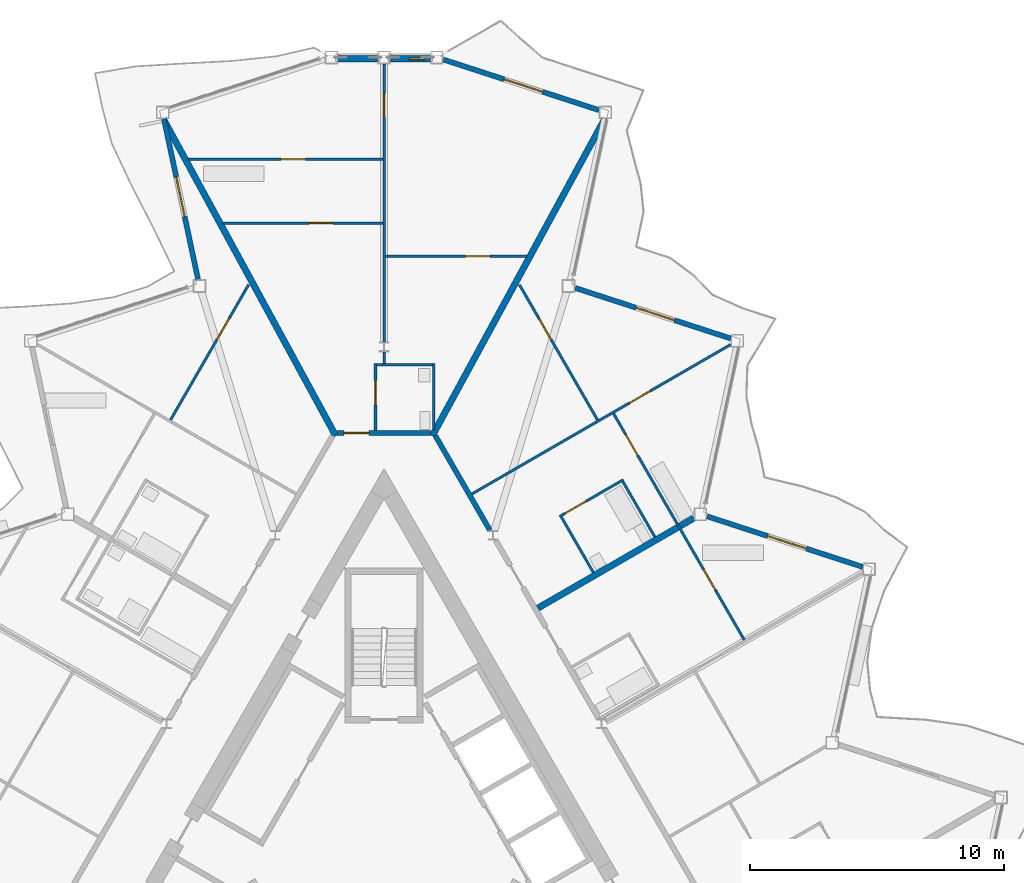
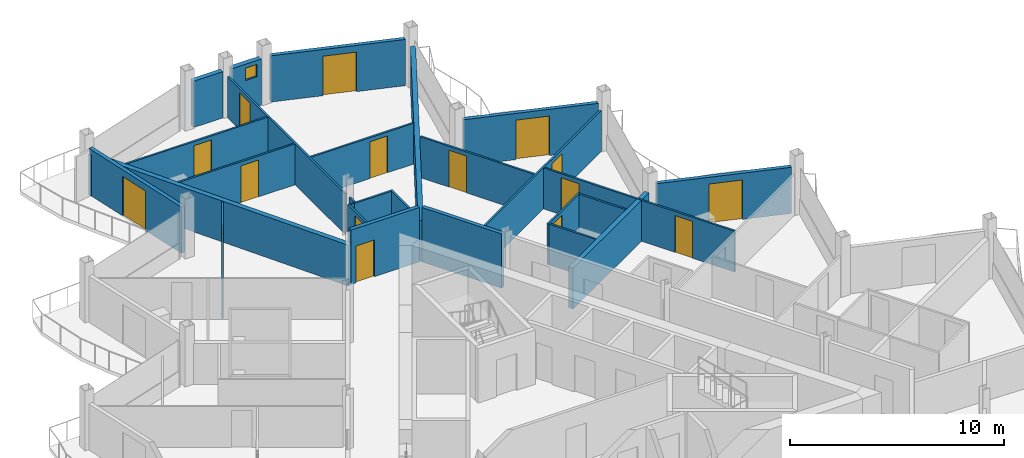
# One storey, part 17 of 26: 27 walls, 16 doors, 1 window, 17 openings.
"""IFC4 building model written with IfcOpenShell, lengths in metres."""

import ifcopenshell
import ifcopenshell.guid

model = None  # the IFC model being written
_history = None  # IfcOwnerHistory: only IFC2X3 demands one
_inside = {}  # id of a spatial element -> (the spatial element, [elements in it])
_under = {}  # id of a project, library or spatial element -> (it, [spatial elements below it])
_declared = {}  # id of a project -> (the project, [libraries it declares])
_typed = {}  # id of a type object -> (the type object, [elements of that type])
_made_of = {}  # id of a material, layer set ... -> (it, [elements and type objects made of it])


def new_model(schema):
    """Start an empty IFC model of exactly this schema.

    Asked for "IFC4X3", IfcOpenShell would pick the latest addendum, in which some entities
    have other attributes; the version numbers below select the first issue.
    IFC2X3 requires an IfcOwnerHistory on every rooted entity: one is made here for all.
    """
    global model, _history
    if schema == "IFC4X3":
        model = ifcopenshell.file(schema_version=(4, 3, 0, 0))
    else:
        model = ifcopenshell.file(schema=schema)
    _inside.clear()
    _under.clear()
    _declared.clear()
    _typed.clear()
    _made_of.clear()
    _history = None
    if model.schema == "IFC2X3":
        org = make("IfcOrganization", Name="unknown")
        user = make(
            "IfcPersonAndOrganization",
            ThePerson=make("IfcPerson", FamilyName="unknown"),
            TheOrganization=org,
        )
        app = make(
            "IfcApplication",
            ApplicationDeveloper=org,
            Version="unknown",
            ApplicationFullName="unknown",
            ApplicationIdentifier="unknown",
        )
        _history = make(
            "IfcOwnerHistory",
            OwningUser=user,
            OwningApplication=app,
            ChangeAction="ADDED",
            CreationDate=0,
        )
    return model


def make(cls, **values):
    """One entity of the class cls with the attributes given. An attribute that is None is left unset."""
    return model.create_entity(
        cls, **{name: value for name, value in values.items() if value is not None}
    )


def rooted(cls, **values):
    """An entity with a GlobalId (a new one), such as an element, a storey or a relation."""
    return make(cls, GlobalId=ifcopenshell.guid.new(), OwnerHistory=_history, **values)


def si_unit(unit_type, name, prefix=None):
    """IfcSIUnit, for example si_unit("LENGTHUNIT", "METRE", prefix="MILLI")."""
    return make("IfcSIUnit", UnitType=unit_type, Prefix=prefix, Name=name)


def assignment(units):
    """IfcUnitAssignment: the units of a project."""
    return None if units is None else make("IfcUnitAssignment", Units=units)


def point(xyz):
    """IfcCartesianPoint."""
    return None if xyz is None else make("IfcCartesianPoint", Coordinates=xyz)


def direction(xyz):
    """IfcDirection."""
    return None if xyz is None else make("IfcDirection", DirectionRatios=xyz)


def frame(location, z_axis=None, x_axis=None):
    """IfcAxis2Placement3D, a coordinate frame: its origin and axes. An axis left out is left unset."""
    return make(
        "IfcAxis2Placement3D",
        Location=point(location),
        Axis=direction(z_axis),
        RefDirection=direction(x_axis),
    )


def frame_2d(location, x_axis=None):
    """IfcAxis2Placement2D, a coordinate frame in the plane: its origin and x axis."""
    return make(
        "IfcAxis2Placement2D", Location=point(location), RefDirection=direction(x_axis)
    )


def origin():
    """The frame at (0, 0, 0) with its axes left unset."""
    return frame((0.0, 0.0, 0.0))


def place(relative_to, where):
    """IfcLocalPlacement: puts the frame where relative to a parent placement (None: the world)."""
    return make(
        "IfcLocalPlacement", PlacementRelTo=relative_to, RelativePlacement=where
    )


def context(
    kind, dimensions, precision=None, world=None, true_north=None, identifier=None
):
    """IfcGeometricRepresentationContext, for example the 3D "Model" context."""
    return make(
        "IfcGeometricRepresentationContext",
        ContextIdentifier=identifier,
        ContextType=kind,
        CoordinateSpaceDimension=dimensions,
        Precision=precision,
        WorldCoordinateSystem=world,
        TrueNorth=true_north,
    )


def subcontext(parent, identifier, kind, view, scale=None):
    """IfcGeometricRepresentationSubContext, for example "Body" below "Model"."""
    return make(
        "IfcGeometricRepresentationSubContext",
        ContextIdentifier=identifier,
        ContextType=kind,
        ParentContext=parent,
        TargetScale=scale,
        TargetView=view,
    )


def project(units=None, contexts=None):
    """IfcProject with its units and contexts."""
    return rooted(
        "IfcProject",
        Name="project",
        RepresentationContexts=contexts,
        UnitsInContext=assignment(units),
    )


def spatial(cls, under=None, at=None, **own):
    """A site, building, storey or space (cls), placed at a placement, below another one or the project."""
    s = rooted(cls, ObjectPlacement=at, **own)
    if under is not None:
        _under.setdefault(under.id(), (under, []))[1].append(s)
    return s


def profile(cls, at=None, kind="AREA", **sizes):
    """A parametric profile (cls). Its sizes go by their IFC names, for example OverallWidth=200.0."""
    return make(cls, ProfileType=kind, Position=at, **sizes)


def rectangle(**sizes):
    """IfcRectangleProfileDef."""
    return profile("IfcRectangleProfileDef", **sizes)


def extrude(swept, where, along, depth):
    """IfcExtrudedAreaSolid: the profile swept, set in the frame where, extruded along a direction by depth."""
    return make(
        "IfcExtrudedAreaSolid",
        SweptArea=swept,
        Position=where,
        ExtrudedDirection=direction(along),
        Depth=depth,
    )


def shape(context_of_items, identifier, shape_type, items):
    """IfcShapeRepresentation: the items that make up one representation, for example the "Body"."""
    return make(
        "IfcShapeRepresentation",
        ContextOfItems=context_of_items,
        RepresentationIdentifier=identifier,
        RepresentationType=shape_type,
        Items=items,
    )


def material(Name=None, Category=None):
    """IfcMaterial."""
    return make("IfcMaterial", Name=Name, Category=Category)


def layer(
    of_material, thickness, ventilated=None, Name=None, Category=None, Priority=None
):
    """IfcMaterialLayer: one layer of a wall or slab, of a material (None: an air gap)."""
    return make(
        "IfcMaterialLayer",
        Material=of_material,
        LayerThickness=thickness,
        IsVentilated=ventilated,
        Name=Name,
        Category=Category,
        Priority=Priority,
    )


def layer_set(layers, Name=None):
    """IfcMaterialLayerSet."""
    return make("IfcMaterialLayerSet", MaterialLayers=layers, LayerSetName=Name)


def made_of(thing, what):
    """Note that an element or type object is made of a material, layer set ...; save() writes the relation."""
    if what is not None:
        _made_of.setdefault(what.id(), (what, []))[1].append(thing)
    return thing


def type_object(cls, material=None, **own):
    """A type object (cls), such as IfcWallType, which elements share."""
    return made_of(rooted(cls, **own), material)


def element(
    cls,
    number,
    at=None,
    inside=None,
    cuts=None,
    type_object=None,
    material=None,
    context=None,
    identifier="Body",
    shape_type=None,
    held_by="IfcProductDefinitionShape",
    body=None,
    shapes=None,
    **own,
):
    """One element of the class cls, such as IfcWall. Its Tag is "e" and its number.

    at: its placement. inside: the storey or other place that contains it. cuts: it is an
    opening in that element (IfcRelVoidsElement). A single representation is given by context,
    identifier, shape_type and body (its items); several are given by shapes. held_by: the class
    of the entity that holds the representations. save() writes the other relations.
    """
    e = rooted(cls, Tag="e%d" % number, ObjectPlacement=at, **own)
    if body is not None:
        shapes = [shape(context, identifier, shape_type, body)]
    if shapes is not None:
        e.Representation = make(held_by, Representations=shapes)
    if inside is not None:
        _inside.setdefault(inside.id(), (inside, []))[1].append(e)
    if cuts is not None:
        rooted(
            "IfcRelVoidsElement", RelatingBuildingElement=cuts, RelatedOpeningElement=e
        )
    if type_object is not None:
        _typed.setdefault(type_object.id(), (type_object, []))[1].append(e)
    return made_of(e, material)


def fill(opening, filler):
    """IfcRelFillsElement: the door or window that sits in an opening."""
    return rooted(
        "IfcRelFillsElement",
        RelatingOpeningElement=opening,
        RelatedBuildingElement=filler,
    )


def aggregate(whole, parts):
    """IfcRelAggregates: a whole, such as a stair, and the parts it consists of."""
    return rooted("IfcRelAggregates", RelatingObject=whole, RelatedObjects=parts)


def save(model, path):
    """Write the relations noted so far, then the file.

    IfcRelAggregates (storeys below a building ...), IfcRelContainedInSpatialStructure (elements
    in a storey), IfcRelDefinesByType, IfcRelAssociatesMaterial and IfcRelDeclares: one each for
    every whole, place, type object, material and project.
    """
    for whole, parts in _under.values():
        aggregate(whole, parts)
    for where, things in _inside.values():
        rooted(
            "IfcRelContainedInSpatialStructure",
            RelatedElements=things,
            RelatingStructure=where,
        )
    for kind, things in _typed.values():
        rooted("IfcRelDefinesByType", RelatedObjects=things, RelatingType=kind)
    for what, things in _made_of.values():
        rooted("IfcRelAssociatesMaterial", RelatedObjects=things, RelatingMaterial=what)
    for by, libraries in _declared.values():
        rooted("IfcRelDeclares", RelatingContext=by, RelatedDefinitions=libraries)
    model.write(path)


model = new_model("IFC4")

# Units and contexts
model_context = context("Model", 3, precision=1e-05, world=origin(), true_north=direction((0.0, 1.0)))
body_context = subcontext(model_context, "Body", "Model", "MODEL_VIEW")
ifc_project = project(units=[si_unit("LENGTHUNIT", "METRE"), si_unit("AREAUNIT", "SQUARE_METRE"), si_unit("VOLUMEUNIT", "CUBIC_METRE"), si_unit("PLANEANGLEUNIT", "RADIAN"), si_unit("MASSUNIT", "GRAM", prefix="KILO")], contexts=[model_context])

# Site, building, storey
site_placement = place(None, origin())
site = spatial("IfcSite", under=ifc_project, at=site_placement, CompositionType="ELEMENT")
building_placement = place(site_placement, origin())
building = spatial("IfcBuilding", under=site, at=building_placement, Name="Cormorant Prow Tower", CompositionType="ELEMENT")
storey_placement = place(building_placement, frame((0.0, 0.0, 401.800048828125)))
storey = spatial("IfcBuildingStorey", under=building, at=storey_placement, Name="L92", CompositionType="ELEMENT", Elevation=401.800048828125)

# Wall
ifc_material_1 = material(Name="Gypsum board corridor wall")
ifc_layer_1 = layer(ifc_material_1, 0.199951171875)
ifc_layer_set_1 = layer_set([ifc_layer_1], Name="Gypsum board corridor wall")
wall_type_1 = type_object("IfcWallType", Name="Corridor wall 200", PredefinedType="PARTITIONING", material=ifc_layer_set_1)
wall_1_placement = place(storey_placement, frame((2.025390625, 16.302978515625, 0.0), z_axis=(0.0, 0.0, 1.0), x_axis=(0.500004215162, -0.866022970146, 0.0)))
element("IfcWall", 1, at=wall_1_placement, inside=storey, type_object=wall_type_1, Name="Corridor wall", PredefinedType="PARTITIONING", context=body_context, shape_type="SweptSolid", body=[
    extrude(rectangle(XDim=4.30029296875, YDim=0.199951171875, at=frame_2d((2.150146484375, 0.0))), origin(), (0.0, 0.0, 1.0), 3.099853515625),
])

# Wall, opening, door
wall_2_placement = place(storey_placement, frame((-1.837890625, 16.4111328125, 0.0), z_axis=(0.0, 0.0, 1.0), x_axis=(1.0, 0.0, 0.0)))
wall_2 = element("IfcWall", 2, at=wall_2_placement, inside=storey, type_object=wall_type_1, Name="Corridor wall", PredefinedType="PARTITIONING", context=body_context, shape_type="SweptSolid", body=[
    extrude(rectangle(XDim=3.67578125, YDim=0.199951171875, at=frame_2d((1.837890625, 0.0))), origin(), (0.0, 0.0, 1.0), 3.099853515625),
])
opening_1_placement = place(wall_2_placement, frame((0.25, 0.0, 0.0)))
opening_1 = element("IfcOpeningElement", 3, at=opening_1_placement, cuts=wall_2, Name="Opening L92-F33", PredefinedType="OPENING", context=body_context, shape_type="SweptSolid", body=[
    extrude(rectangle(XDim=1.0, YDim=2.10009765625, at=frame_2d((0.5, 1.050048828125))), frame((0.0, 0.10986328125, 0.0), z_axis=(0.0, -1.0, 0.0), x_axis=(1.0, 0.0, 0.0)), (0.0, 0.0, 1.0), 0.219970703125),
])
ifc_material_2 = material(Name="Timber door leaf", Category="wood")
door_type_1 = type_object("IfcDoorType", Name="Flat or room entrance door 1000x2100", OperationType="NOTDEFINED", PredefinedType="DOOR", material=ifc_material_2)
door_1_placement = place(opening_1_placement, origin())
door_1 = element("IfcDoor", 4, at=door_1_placement, inside=storey, type_object=door_type_1, Name="Living room door", OperationType="SINGLE_SWING_RIGHT", OverallHeight=2.10009765625, OverallWidth=1.0, PredefinedType="DOOR", context=body_context, shape_type="SweptSolid", body=[
    extrude(rectangle(XDim=1.0, YDim=2.10009765625, at=frame_2d((0.5, 1.050048828125))), frame((0.0, 0.02490234375, 0.0), z_axis=(0.0, -1.0, 0.0), x_axis=(1.0, 0.0, 0.0)), (0.0, 0.0, 1.0), 0.050048828125),
])
fill(opening_1, door_1)

ifc_material_3 = material(Name="Gypsum board partition")
ifc_layer_2 = layer(ifc_material_3, 0.10009765625)
ifc_layer_set_2 = layer_set([ifc_layer_2], Name="Gypsum board partition")
wall_type_2 = type_object("IfcWallType", Name="Internal partition 100", PredefinedType="PARTITIONING", material=ifc_layer_set_2)
wall_3_placement = place(storey_placement, frame((3.465087890625, 14.009521484375, 0.0), z_axis=(0.0, 0.0, 1.0), x_axis=(0.866032376801, 0.499987922186, 0.0)))
wall_3 = element("IfcWall", 5, at=wall_3_placement, inside=storey, type_object=wall_type_2, Name="Internal partition", PredefinedType="PARTITIONING", context=body_context, shape_type="SweptSolid", body=[
    extrude(rectangle(XDim=11.781982421875, YDim=0.10009765625, at=frame_2d((5.89111328125, 0.0))), origin(), (0.0, 0.0, 1.0), 2.330078125),
])
opening_2_placement = place(wall_3_placement, frame((7.17138671875, 0.0, 0.0)))
opening_2 = element("IfcOpeningElement", 6, at=opening_2_placement, cuts=wall_3, Name="Opening L92-F31", PredefinedType="OPENING", context=body_context, shape_type="SweptSolid", body=[
    extrude(rectangle(XDim=0.949951171875, YDim=2.10009765625, at=frame_2d((0.47509765625, 1.050048828125))), frame((0.0, 0.06005859375, 0.0), z_axis=(0.0, -1.0, 0.0), x_axis=(1.0, 0.0, 0.0)), (0.0, 0.0, 1.0), 0.1201171875),
])
ifc_material_4 = material(Name="Timber door leaf", Category="wood")
door_type_2 = type_object("IfcDoorType", Name="Bathroom door 950x2100", OperationType="NOTDEFINED", PredefinedType="DOOR", material=ifc_material_4)
door_2_placement = place(opening_2_placement, origin())
door_2 = element("IfcDoor", 7, at=door_2_placement, inside=storey, type_object=door_type_2, Name="Kitchen door", OperationType="SINGLE_SWING_LEFT", OverallHeight=2.10009765625, OverallWidth=0.949951171875, PredefinedType="DOOR", context=body_context, shape_type="SweptSolid", body=[
    extrude(rectangle(XDim=0.949951171875, YDim=2.10009765625, at=frame_2d((0.47509765625, 1.050048828125))), frame((0.0, 0.02490234375, 0.0), z_axis=(0.0, -1.0, 0.0), x_axis=(1.0, 0.0, 0.0)), (0.0, 0.0, 1.0), 0.050048828125),
])
fill(opening_2, door_2)

wall_4_placement = place(storey_placement, frame((0.0, 20.008056640625, 0.0), z_axis=(0.0, 0.0, 1.0), x_axis=(0.0, 1.0, 0.0)))
wall_4 = element("IfcWall", 8, at=wall_4_placement, inside=storey, type_object=wall_type_2, Name="Internal partition", PredefinedType="PARTITIONING", context=body_context, shape_type="SweptSolid", body=[
    extrude(rectangle(XDim=10.951416015625, YDim=0.10009765625, at=frame_2d((5.4755859375, 0.0))), origin(), (0.0, 0.0, 1.0), 2.330078125),
])
opening_3_placement = place(wall_4_placement, frame((8.851318359375, 0.0, 0.0)))
opening_3 = element("IfcOpeningElement", 9, at=opening_3_placement, cuts=wall_4, Name="Opening L92-F37", PredefinedType="OPENING", context=body_context, shape_type="SweptSolid", body=[
    extrude(rectangle(XDim=0.949951171875, YDim=2.10009765625, at=frame_2d((0.47509765625, 1.050048828125))), frame((0.0, 0.06005859375, 0.0), z_axis=(0.0, -1.0, 0.0), x_axis=(1.0, 0.0, 0.0)), (0.0, 0.0, 1.0), 0.1201171875),
])
door_3_placement = place(opening_3_placement, origin())
door_3 = element("IfcDoor", 10, at=door_3_placement, inside=storey, type_object=door_type_2, Name="Dining room door", OperationType="SINGLE_SWING_LEFT", OverallHeight=2.10009765625, OverallWidth=0.949951171875, PredefinedType="DOOR", context=body_context, shape_type="SweptSolid", body=[
    extrude(rectangle(XDim=0.949951171875, YDim=2.10009765625, at=frame_2d((0.47509765625, 1.050048828125))), frame((0.0, 0.02490234375, 0.0), z_axis=(0.0, -1.0, 0.0), x_axis=(1.0, 0.0, 0.0)), (0.0, 0.0, 1.0), 0.050048828125),
])
fill(opening_3, door_3)

# Wall, openings, doors
wall_5_placement = place(storey_placement, frame((9.052490234375, 17.177490234375, 0.0), z_axis=(0.0, 0.0, 1.0), x_axis=(0.499998765615, -0.866026116456, 0.0)))
wall_5 = element("IfcWall", 11, at=wall_5_placement, inside=storey, type_object=wall_type_2, Name="Internal partition", PredefinedType="PARTITIONING", context=body_context, shape_type="SweptSolid", body=[
    extrude(rectangle(XDim=10.2998046875, YDim=0.10009765625, at=frame_2d((5.14990234375, 0.0))), origin(), (0.0, 0.0, 1.0), 2.330078125),
])
opening_4_placement = place(wall_5_placement, frame((7.088623046875, 0.0, 0.0)))
opening_4 = element("IfcOpeningElement", 12, at=opening_4_placement, cuts=wall_5, Name="Opening L92-F22", PredefinedType="OPENING", context=body_context, shape_type="SweptSolid", body=[
    extrude(rectangle(XDim=0.949951171875, YDim=2.10009765625, at=frame_2d((0.47509765625, 1.050048828125))), frame((0.0, 0.06005859375, 0.0), z_axis=(0.0, -1.0, 0.0), x_axis=(1.0, 0.0, 0.0)), (0.0, 0.0, 1.0), 0.1201171875),
])
opening_5_placement = place(wall_5_placement, frame((0.953857421875, 0.0, 0.0)))
opening_5 = element("IfcOpeningElement", 13, at=opening_5_placement, cuts=wall_5, Name="Opening L92-F30", PredefinedType="OPENING", context=body_context, shape_type="SweptSolid", body=[
    extrude(rectangle(XDim=0.949951171875, YDim=2.10009765625, at=frame_2d((0.47509765625, 1.050048828125))), frame((0.0, 0.06005859375, 0.0), z_axis=(0.0, -1.0, 0.0), x_axis=(1.0, 0.0, 0.0)), (0.0, 0.0, 1.0), 0.1201171875),
])
door_4_placement = place(opening_4_placement, origin())
door_4 = element("IfcDoor", 14, at=door_4_placement, inside=storey, type_object=door_type_2, Name="Living room door", OperationType="SINGLE_SWING_LEFT", OverallHeight=2.10009765625, OverallWidth=0.949951171875, PredefinedType="DOOR", context=body_context, shape_type="SweptSolid", body=[
    extrude(rectangle(XDim=0.949951171875, YDim=2.10009765625, at=frame_2d((0.47509765625, 1.050048828125))), frame((0.0, 0.02490234375, 0.0), z_axis=(0.0, -1.0, 0.0), x_axis=(1.0, 0.0, 0.0)), (0.0, 0.0, 1.0), 0.050048828125),
])
fill(opening_4, door_4)
door_5_placement = place(opening_5_placement, origin())
door_5 = element("IfcDoor", 15, at=door_5_placement, inside=storey, type_object=door_type_2, Name="Living room door", OperationType="SINGLE_SWING_LEFT", OverallHeight=2.10009765625, OverallWidth=0.949951171875, PredefinedType="DOOR", context=body_context, shape_type="SweptSolid", body=[
    extrude(rectangle(XDim=0.949951171875, YDim=2.10009765625, at=frame_2d((0.47509765625, 1.050048828125))), frame((0.0, 0.02490234375, 0.0), z_axis=(0.0, -1.0, 0.0), x_axis=(1.0, 0.0, 0.0)), (0.0, 0.0, 1.0), 0.050048828125),
])
fill(opening_5, door_5)

# Wall, opening, door
wall_6_placement = place(storey_placement, frame((-7.71240234375, 27.20849609375, 0.0), z_axis=(0.0, 0.0, 1.0), x_axis=(1.0, 0.0, 0.0)))
wall_6 = element("IfcWall", 16, at=wall_6_placement, inside=storey, type_object=wall_type_2, Name="Internal partition", PredefinedType="PARTITIONING", context=body_context, shape_type="SweptSolid", body=[
    extrude(rectangle(XDim=7.662353515625, YDim=0.10009765625, at=frame_2d((3.8310546875, 0.0))), origin(), (0.0, 0.0, 1.0), 2.330078125),
])
opening_6_placement = place(wall_6_placement, frame((3.65673828125, 0.0, 0.0)))
opening_6 = element("IfcOpeningElement", 17, at=opening_6_placement, cuts=wall_6, Name="Opening L92-F36", PredefinedType="OPENING", context=body_context, shape_type="SweptSolid", body=[
    extrude(rectangle(XDim=0.949951171875, YDim=2.10009765625, at=frame_2d((0.47509765625, 1.050048828125))), frame((0.0, 0.06005859375, 0.0), z_axis=(0.0, -1.0, 0.0), x_axis=(1.0, 0.0, 0.0)), (0.0, 0.0, 1.0), 0.1201171875),
])
door_6_placement = place(opening_6_placement, origin())
door_6 = element("IfcDoor", 18, at=door_6_placement, inside=storey, type_object=door_type_2, Name="Kitchen door", OperationType="SINGLE_SWING_LEFT", OverallHeight=2.10009765625, OverallWidth=0.949951171875, PredefinedType="DOOR", context=body_context, shape_type="SweptSolid", body=[
    extrude(rectangle(XDim=0.949951171875, YDim=2.10009765625, at=frame_2d((0.47509765625, 1.050048828125))), frame((0.0, 0.02490234375, 0.0), z_axis=(0.0, -1.0, 0.0), x_axis=(1.0, 0.0, 0.0)), (0.0, 0.0, 1.0), 0.050048828125),
])
fill(opening_6, door_6)

wall_7_placement = place(storey_placement, frame((-6.34326171875, 24.69189453125, 0.0), z_axis=(0.0, 0.0, 1.0), x_axis=(1.0, 0.0, 0.0)))
wall_7 = element("IfcWall", 19, at=wall_7_placement, inside=storey, type_object=wall_type_2, Name="Internal partition", PredefinedType="PARTITIONING", context=body_context, shape_type="SweptSolid", body=[
    extrude(rectangle(XDim=6.293212890625, YDim=0.10009765625, at=frame_2d((3.146484375, 0.0))), origin(), (0.0, 0.0, 1.0), 2.330078125),
])
opening_7_placement = place(wall_7_placement, frame((3.3779296875, 0.0, 0.0)))
opening_7 = element("IfcOpeningElement", 20, at=opening_7_placement, cuts=wall_7, Name="Opening L92-F35", PredefinedType="OPENING", context=body_context, shape_type="SweptSolid", body=[
    extrude(rectangle(XDim=0.949951171875, YDim=2.10009765625, at=frame_2d((0.47509765625, 1.050048828125))), frame((0.0, 0.06005859375, 0.0), z_axis=(0.0, -1.0, 0.0), x_axis=(1.0, 0.0, 0.0)), (0.0, 0.0, 1.0), 0.1201171875),
])
door_7_placement = place(opening_7_placement, origin())
door_7 = element("IfcDoor", 21, at=door_7_placement, inside=storey, type_object=door_type_2, Name="Living room door", OperationType="SINGLE_SWING_LEFT", OverallHeight=2.10009765625, OverallWidth=0.949951171875, PredefinedType="DOOR", context=body_context, shape_type="SweptSolid", body=[
    extrude(rectangle(XDim=0.949951171875, YDim=2.10009765625, at=frame_2d((0.47509765625, 1.050048828125))), frame((0.0, 0.02490234375, 0.0), z_axis=(0.0, -1.0, 0.0), x_axis=(1.0, 0.0, 0.0)), (0.0, 0.0, 1.0), 0.050048828125),
])
fill(opening_7, door_7)

wall_8_placement = place(storey_placement, frame((-8.419189453125, 16.927490234375, 0.0), z_axis=(0.0, 0.0, 1.0), x_axis=(0.500027893485, 0.866009298874, 0.0)))
wall_8 = element("IfcWall", 22, at=wall_8_placement, inside=storey, type_object=wall_type_2, Name="Internal partition", PredefinedType="PARTITIONING", context=body_context, shape_type="SweptSolid", body=[
    extrude(rectangle(XDim=6.157958984375, YDim=0.10009765625, at=frame_2d((3.0791015625, 0.0))), origin(), (0.0, 0.0, 1.0), 2.330078125),
])
opening_8_placement = place(wall_8_placement, frame((3.65576171875, 0.0, 0.0)))
opening_8 = element("IfcOpeningElement", 23, at=opening_8_placement, cuts=wall_8, Name="Opening L92-F43", PredefinedType="OPENING", context=body_context, shape_type="SweptSolid", body=[
    extrude(rectangle(XDim=0.949951171875, YDim=2.10009765625, at=frame_2d((0.47509765625, 1.050048828125))), frame((0.0, 0.06005859375, 0.0), z_axis=(0.0, -1.0, 0.0), x_axis=(1.0, 0.0, 0.0)), (0.0, 0.0, 1.0), 0.1201171875),
])
door_8_placement = place(opening_8_placement, origin())
door_8 = element("IfcDoor", 24, at=door_8_placement, inside=storey, type_object=door_type_2, Name="Bedroom door", OperationType="SINGLE_SWING_LEFT", OverallHeight=2.10009765625, OverallWidth=0.949951171875, PredefinedType="DOOR", context=body_context, shape_type="SweptSolid", body=[
    extrude(rectangle(XDim=0.949951171875, YDim=2.10009765625, at=frame_2d((0.47509765625, 1.050048828125))), frame((0.0, 0.02490234375, 0.0), z_axis=(0.0, -1.0, 0.0), x_axis=(1.0, 0.0, 0.0)), (0.0, 0.0, 1.0), 0.050048828125),
])
fill(opening_8, door_8)

wall_9_placement = place(storey_placement, frame((5.340087890625, 22.26025390625, 0.0), z_axis=(0.0, 0.0, 1.0), x_axis=(0.500027893485, -0.866009298874, 0.0)))
wall_9 = element("IfcWall", 25, at=wall_9_placement, inside=storey, type_object=wall_type_2, Name="Internal partition", PredefinedType="PARTITIONING", context=body_context, shape_type="SweptSolid", body=[
    extrude(rectangle(XDim=6.157958984375, YDim=0.10009765625, at=frame_2d((3.0791015625, 0.0))), origin(), (0.0, 0.0, 1.0), 2.330078125),
])
opening_9_placement = place(wall_9_placement, frame((1.55224609375, 0.0, 0.0)))
opening_9 = element("IfcOpeningElement", 26, at=opening_9_placement, cuts=wall_9, Name="Opening L92-F32", PredefinedType="OPENING", context=body_context, shape_type="SweptSolid", body=[
    extrude(rectangle(XDim=0.949951171875, YDim=2.10009765625, at=frame_2d((0.47509765625, 1.050048828125))), frame((0.0, 0.06005859375, 0.0), z_axis=(0.0, -1.0, 0.0), x_axis=(1.0, 0.0, 0.0)), (0.0, 0.0, 1.0), 0.1201171875),
])
door_9_placement = place(opening_9_placement, origin())
door_9 = element("IfcDoor", 27, at=door_9_placement, inside=storey, type_object=door_type_2, Name="Bedroom door", OperationType="SINGLE_SWING_RIGHT", OverallHeight=2.10009765625, OverallWidth=0.949951171875, PredefinedType="DOOR", context=body_context, shape_type="SweptSolid", body=[
    extrude(rectangle(XDim=0.949951171875, YDim=2.10009765625, at=frame_2d((0.47509765625, 1.050048828125))), frame((0.0, 0.02490234375, 0.0), z_axis=(0.0, -1.0, 0.0), x_axis=(1.0, 0.0, 0.0)), (0.0, 0.0, 1.0), 0.050048828125),
])
fill(opening_9, door_9)

wall_10_placement = place(storey_placement, frame((0.050048828125, 23.38330078125, 0.0), z_axis=(0.0, 0.0, 1.0), x_axis=(1.0, 0.0, 0.0)))
wall_10 = element("IfcWall", 28, at=wall_10_placement, inside=storey, type_object=wall_type_2, Name="Internal partition", PredefinedType="PARTITIONING", context=body_context, shape_type="SweptSolid", body=[
    extrude(rectangle(XDim=5.581298828125, YDim=0.10009765625, at=frame_2d((2.79052734375, 0.0))), origin(), (0.0, 0.0, 1.0), 2.330078125),
])
opening_10_placement = place(wall_10_placement, frame((3.172119140625, 0.0, 0.0)))
opening_10 = element("IfcOpeningElement", 29, at=opening_10_placement, cuts=wall_10, Name="Opening L92-F38", PredefinedType="OPENING", context=body_context, shape_type="SweptSolid", body=[
    extrude(rectangle(XDim=0.949951171875, YDim=2.10009765625, at=frame_2d((0.47509765625, 1.050048828125))), frame((0.0, 0.06005859375, 0.0), z_axis=(0.0, -1.0, 0.0), x_axis=(1.0, 0.0, 0.0)), (0.0, 0.0, 1.0), 0.1201171875),
])
door_10_placement = place(opening_10_placement, origin())
door_10 = element("IfcDoor", 30, at=door_10_placement, inside=storey, type_object=door_type_2, Name="Principal bedroom door", OperationType="SINGLE_SWING_RIGHT", OverallHeight=2.10009765625, OverallWidth=0.949951171875, PredefinedType="DOOR", context=body_context, shape_type="SweptSolid", body=[
    extrude(rectangle(XDim=0.949951171875, YDim=2.10009765625, at=frame_2d((0.47509765625, 1.050048828125))), frame((0.0, 0.02490234375, 0.0), z_axis=(0.0, -1.0, 0.0), x_axis=(1.0, 0.0, 0.0)), (0.0, 0.0, 1.0), 0.050048828125),
])
fill(opening_10, door_10)

wall_11_placement = place(storey_placement, frame((6.92333984375, 13.119384765625, 0.0), z_axis=(0.0, 0.0, 1.0), x_axis=(0.866032775405, 0.499987231761, 0.0)))
wall_11 = element("IfcWall", 31, at=wall_11_placement, inside=storey, type_object=wall_type_2, Name="Internal partition", PredefinedType="PARTITIONING", context=body_context, shape_type="SweptSolid", body=[
    extrude(rectangle(XDim=2.89990234375, YDim=0.10009765625, at=frame_2d((1.449951171875, 0.0))), origin(), (0.0, 0.0, 1.0), 2.330078125),
])
opening_11_placement = place(wall_11_placement, frame((0.25, 0.0, 0.0)))
opening_11 = element("IfcOpeningElement", 32, at=opening_11_placement, cuts=wall_11, Name="Opening L92-F29", PredefinedType="OPENING", context=body_context, shape_type="SweptSolid", body=[
    extrude(rectangle(XDim=0.949951171875, YDim=2.10009765625, at=frame_2d((0.47509765625, 1.050048828125))), frame((0.0, 0.06005859375, 0.0), z_axis=(0.0, -1.0, 0.0), x_axis=(1.0, 0.0, 0.0)), (0.0, 0.0, 1.0), 0.1201171875),
])
door_11_placement = place(opening_11_placement, origin())
door_11 = element("IfcDoor", 33, at=door_11_placement, inside=storey, type_object=door_type_2, Name="Living room door", OperationType="SINGLE_SWING_LEFT", OverallHeight=2.10009765625, OverallWidth=0.949951171875, PredefinedType="DOOR", context=body_context, shape_type="SweptSolid", body=[
    extrude(rectangle(XDim=0.949951171875, YDim=2.10009765625, at=frame_2d((0.47509765625, 1.050048828125))), frame((0.0, 0.02490234375, 0.0), z_axis=(0.0, -1.0, 0.0), x_axis=(1.0, 0.0, 0.0)), (0.0, 0.0, 1.0), 0.050048828125),
])
fill(opening_11, door_11)

# Walls
wall_12_placement = place(storey_placement, frame((1.962890625, 16.535888671875, 0.0), z_axis=(0.0, 0.0, 1.0), x_axis=(0.0, 1.0, 0.0)))
element("IfcWall", 34, at=wall_12_placement, inside=storey, type_object=wall_type_2, Name="Internal partition", PredefinedType="PARTITIONING", context=body_context, shape_type="SweptSolid", body=[
    extrude(rectangle(XDim=2.625, YDim=0.10009765625, at=frame_2d((1.3125, 0.0))), origin(), (0.0, 0.0, 1.0), 2.330078125),
])
wall_13_placement = place(storey_placement, frame((9.41650390625, 14.501220703125, 0.0), z_axis=(0.0, 0.0, 1.0), x_axis=(0.500048846702, -0.865997200291, 0.0)))
element("IfcWall", 35, at=wall_13_placement, inside=storey, type_object=wall_type_2, Name="Internal partition", PredefinedType="PARTITIONING", context=body_context, shape_type="SweptSolid", body=[
    extrude(rectangle(XDim=2.525146484375, YDim=0.10009765625, at=frame_2d((1.2626953125, 0.0))), origin(), (0.0, 0.0, 1.0), 2.330078125),
])
wall_14_placement = place(storey_placement, frame((6.99169921875, 13.10107421875, 0.0), z_axis=(0.0, 0.0, 1.0), x_axis=(0.499976333282, -0.866039067339, 0.0)))
element("IfcWall", 36, at=wall_14_placement, inside=storey, type_object=wall_type_2, Name="Internal partition", PredefinedType="PARTITIONING", context=body_context, shape_type="SweptSolid", body=[
    extrude(rectangle(XDim=2.52490234375, YDim=0.10009765625, at=frame_2d((1.262451171875, 0.0))), origin(), (0.0, 0.0, 1.0), 2.330078125),
])

# Wall, opening, door
wall_15_placement = place(storey_placement, frame((-0.3369140625, 16.510986328125, 0.0), z_axis=(0.0, 0.0, 1.0), x_axis=(0.0, 1.0, 0.0)))
wall_15 = element("IfcWall", 37, at=wall_15_placement, inside=storey, type_object=wall_type_2, Name="Internal partition", PredefinedType="PARTITIONING", context=body_context, shape_type="SweptSolid", body=[
    extrude(rectangle(XDim=2.649169921875, YDim=0.10009765625, at=frame_2d((1.32470703125, 0.0))), origin(), (0.0, 0.0, 1.0), 2.330078125),
])
opening_12_placement = place(wall_15_placement, frame((1.01318359375, 0.0, 0.0)))
opening_12 = element("IfcOpeningElement", 38, at=opening_12_placement, cuts=wall_15, Name="Opening L92-F34", PredefinedType="OPENING", context=body_context, shape_type="SweptSolid", body=[
    extrude(rectangle(XDim=0.949951171875, YDim=2.10009765625, at=frame_2d((0.47509765625, 1.050048828125))), frame((0.0, 0.06005859375, 0.0), z_axis=(0.0, -1.0, 0.0), x_axis=(1.0, 0.0, 0.0)), (0.0, 0.0, 1.0), 0.1201171875),
])
door_12_placement = place(opening_12_placement, origin())
door_12 = element("IfcDoor", 39, at=door_12_placement, inside=storey, type_object=door_type_2, Name="Living room door", OperationType="SINGLE_SWING_RIGHT", OverallHeight=2.10009765625, OverallWidth=0.949951171875, PredefinedType="DOOR", context=body_context, shape_type="SweptSolid", body=[
    extrude(rectangle(XDim=0.949951171875, YDim=2.10009765625, at=frame_2d((0.47509765625, 1.050048828125))), frame((0.0, 0.02490234375, 0.0), z_axis=(0.0, -1.0, 0.0), x_axis=(1.0, 0.0, 0.0)), (0.0, 0.0, 1.0), 0.050048828125),
])
fill(opening_12, door_12)

# Walls
wall_16_placement = place(storey_placement, frame((-0.06005859375, 19.111083984375, 0.0), z_axis=(0.0, 0.0, 1.0), x_axis=(1.0, 0.0, 0.0)))
element("IfcWall", 40, at=wall_16_placement, inside=storey, type_object=wall_type_2, Name="Internal partition", PredefinedType="PARTITIONING", context=body_context, shape_type="SweptSolid", body=[
    extrude(rectangle(XDim=1.97314453125, YDim=0.10009765625, at=frame_2d((0.986572265625, 0.0))), origin(), (0.0, 0.0, 1.0), 2.330078125),
])
wall_17_placement = place(storey_placement, frame((0.0, 19.160888671875, 0.0), z_axis=(0.0, 0.0, 1.0), x_axis=(0.0, 1.0, 0.0)))
element("IfcWall", 41, at=wall_17_placement, inside=storey, type_object=wall_type_2, Name="Internal partition", PredefinedType="PARTITIONING", context=body_context, shape_type="SweptSolid", body=[
    extrude(rectangle(XDim=0.453125, YDim=0.10009765625, at=frame_2d((0.2265625, 0.0))), origin(), (0.0, 0.0, 1.0), 2.330078125),
])
wall_18_placement = place(storey_placement, frame((-0.287109375, 19.1103515625, 0.0), z_axis=(0.0, 0.0, 1.0), x_axis=(0.999997637059, 0.002173907907, 0.0)))
element("IfcWall", 42, at=wall_18_placement, inside=storey, type_object=wall_type_2, Name="Internal partition", PredefinedType="PARTITIONING", context=body_context, shape_type="SweptSolid", body=[
    extrude(rectangle(XDim=0.224609375, YDim=0.10009765625, at=frame_2d((0.1123046875, 0.0))), origin(), (0.0, 0.0, 1.0), 2.330078125),
])
ifc_material_5 = material(Name="Acoustic gypsum party wall")
ifc_layer_3 = layer(ifc_material_5, 0.25)
ifc_layer_set_3 = layer_set([ifc_layer_3], Name="Acoustic gypsum party wall")
wall_type_3 = type_object("IfcWallType", Name="Suite party wall 250", PredefinedType="PARTITIONING", material=ifc_layer_set_3)
for number, where, z_axis, x_axis, name in (
    (43, (-8.701904296875, 28.797119140625, 0.0), (0.0, 0.0, 1.0), (0.47791275145, -0.878407309852, 0.0), "Suite party wall"),
    (44, (1.9033203125, 16.30126953125, 0.0), (0.0, 0.0, 1.0), (0.47791275145, 0.878407309852, 0.0), "Suite party wall"),
):
    element("IfcWall", number, at=place(storey_placement, frame(where, z_axis=z_axis, x_axis=x_axis)), inside=storey, type_object=wall_type_3, Name=name, PredefinedType="PARTITIONING", context=body_context, shape_type="SweptSolid", body=[
        extrude(rectangle(XDim=14.2255859375, YDim=0.25, at=frame_2d((7.11279296875, 0.0))), origin(), (0.0, 0.0, 1.0), 2.330078125),
    ])
wall_19_placement = place(storey_placement, frame((6.065185546875, 9.506103515625, 0.0), z_axis=(0.0, 0.0, 1.0), x_axis=(0.866018949465, 0.500011179042, 0.0)))
element("IfcWall", 45, at=wall_19_placement, inside=storey, type_object=wall_type_3, Name="Suite party wall", PredefinedType="PARTITIONING", context=body_context, shape_type="SweptSolid", body=[
    extrude(rectangle(XDim=7.099853515625, YDim=0.25, at=frame_2d((3.5498046875, 0.0))), origin(), (0.0, 0.0, 1.0), 2.330078125),
])

# Wall, opening, window
ifc_material_6 = material(Name="Terracotta", Category="masonry")
ifc_layer_4 = layer(ifc_material_6, 0.25)
ifc_layer_set_4 = layer_set([ifc_layer_4], Name="Terracotta")
wall_type_4 = type_object("IfcWallType", Name="Terracotta bay wall 250", PredefinedType="SOLIDWALL", material=ifc_layer_set_4)
wall_20_placement = place(storey_placement, frame((1.831787109375, 31.166015625, 0.0), z_axis=(0.0, 0.0, 1.0), x_axis=(-1.0, 0.0, 0.0)))
wall_20 = element("IfcWall", 46, at=wall_20_placement, inside=storey, type_object=wall_type_4, Name="Terracotta bay wall N00", PredefinedType="SOLIDWALL", context=body_context, shape_type="SweptSolid", body=[
    extrude(rectangle(XDim=1.581787109375, YDim=0.25, at=frame_2d((0.791015625, 0.0))), origin(), (0.0, 0.0, 1.0), 2.6337890625),
])
opening_13_placement = place(wall_20_placement, frame((0.25, 0.0, 1.699951171875)))
opening_13 = element("IfcOpeningElement", 47, at=opening_13_placement, cuts=wall_20, Name="Opening WN11", PredefinedType="OPENING", context=body_context, shape_type="SweptSolid", body=[
    extrude(rectangle(XDim=0.60009765625, YDim=0.699951171875, at=frame_2d((0.300048828125, 0.35009765625))), frame((0.0, 0.135009765625, 0.0), z_axis=(0.0, -1.0, 0.0), x_axis=(1.0, 0.0, 0.0)), (0.0, 0.0, 1.0), 0.27001953125),
])
ifc_material_7 = material(Name="Aluminium 6063-T6", Category="aluminium")
window_type = type_object("IfcWindowType", Name="Corner bay window 600x700", PartitioningType="SINGLE_PANEL", PredefinedType="WINDOW", material=ifc_material_7)
window_placement = place(opening_13_placement, origin())
window = element("IfcWindow", 48, at=window_placement, inside=storey, type_object=window_type, Name="Corner bay window N00", OverallHeight=0.699951171875, OverallWidth=0.60009765625, PartitioningType="SINGLE_PANEL", PredefinedType="WINDOW", context=body_context, shape_type="SweptSolid", body=[
    extrude(rectangle(XDim=0.60009765625, YDim=0.699951171875, at=frame_2d((0.300048828125, 0.35009765625))), frame((0.0, 0.030029296875, 0.0), z_axis=(0.0, -1.0, 0.0), x_axis=(1.0, 0.0, 0.0)), (0.0, 0.0, 1.0), 0.06005859375),
])
fill(opening_13, window)

# Wall
wall_21_placement = place(storey_placement, frame((-0.25, 31.166015625, 0.0), z_axis=(0.0, 0.0, 1.0), x_axis=(-1.0, 0.0, 0.0)))
element("IfcWall", 49, at=wall_21_placement, inside=storey, type_object=wall_type_4, Name="Terracotta bay wall N01", PredefinedType="SOLIDWALL", context=body_context, shape_type="SweptSolid", body=[
    extrude(rectangle(XDim=1.581787109375, YDim=0.25, at=frame_2d((0.791015625, 0.0))), origin(), (0.0, 0.0, 1.0), 2.6337890625),
])

# Wall, opening, door
ifc_material_8 = material(Name="Terracotta", Category="masonry")
ifc_layer_5 = layer(ifc_material_8, 0.199951171875)
ifc_layer_set_5 = layer_set([ifc_layer_5], Name="Terracotta")
wall_type_5 = type_object("IfcWallType", Name="Terracotta jamb wall 200", PredefinedType="SOLIDWALL", material=ifc_layer_set_5)
wall_22_placement = place(storey_placement, frame((18.87353515625, 11.133544921875, 0.0), z_axis=(0.0, 0.0, 1.0), x_axis=(-0.951063037463, 0.308996923563, 0.0)))
wall_22 = element("IfcWall", 50, at=wall_22_placement, inside=storey, type_object=wall_type_5, Name="Terracotta jamb wall ENE05", PredefinedType="SOLIDWALL", context=body_context, shape_type="SweptSolid", body=[
    extrude(rectangle(XDim=6.440185546875, YDim=0.199951171875, at=frame_2d((3.22021484375, 0.0))), origin(), (0.0, 0.0, 1.0), 2.6337890625),
])
opening_14_placement = place(wall_22_placement, frame((2.332763671875, 0.0, 0.0)))
opening_14 = element("IfcOpeningElement", 51, at=opening_14_placement, cuts=wall_22, Name="Opening ED92.08", PredefinedType="OPENING", context=body_context, shape_type="SweptSolid", body=[
    extrude(rectangle(XDim=1.60009765625, YDim=2.25, at=frame_2d((0.800048828125, 1.125))), frame((0.0, 0.10986328125, 0.0), z_axis=(0.0, -1.0, 0.0), x_axis=(1.0, 0.0, 0.0)), (0.0, 0.0, 1.0), 0.219970703125),
])
ifc_material_9 = material(Name="Aluminium 6063-T6", Category="aluminium")
door_type_3 = type_object("IfcDoorType", Name="Balcony door 1600x2250", OperationType="DOUBLE_DOOR_SINGLE_SWING", PredefinedType="DOOR", material=ifc_material_9)
door_13_placement = place(opening_14_placement, origin())
door_13 = element("IfcDoor", 52, at=door_13_placement, inside=storey, type_object=door_type_3, Name="Balcony door ENE05 ED92.08", OperationType="DOUBLE_DOOR_SINGLE_SWING", OverallHeight=2.25, OverallWidth=1.60009765625, PredefinedType="DOOR", context=body_context, shape_type="SweptSolid", body=[
    extrude(rectangle(XDim=1.60009765625, YDim=2.25, at=frame_2d((0.800048828125, 1.125))), frame((0.0, 0.02490234375, 0.0), z_axis=(0.0, -1.0, 0.0), x_axis=(1.0, 0.0, 0.0)), (0.0, 0.0, 1.0), 0.050048828125),
])
fill(opening_14, door_13)

wall_23_placement = place(storey_placement, frame((13.673583984375, 20.14013671875, 0.0), z_axis=(0.0, 0.0, 1.0), x_axis=(-0.951051896423, 0.309031212518, 0.0)))
wall_23 = element("IfcWall", 53, at=wall_23_placement, inside=storey, type_object=wall_type_5, Name="Terracotta jamb wall ENE07", PredefinedType="SOLIDWALL", context=body_context, shape_type="SweptSolid", body=[
    extrude(rectangle(XDim=6.440185546875, YDim=0.199951171875, at=frame_2d((3.22021484375, 0.0))), origin(), (0.0, 0.0, 1.0), 2.6337890625),
])
opening_15_placement = place(wall_23_placement, frame((2.332763671875, 0.0, 0.0)))
opening_15 = element("IfcOpeningElement", 54, at=opening_15_placement, cuts=wall_23, Name="Opening ED92.09", PredefinedType="OPENING", context=body_context, shape_type="SweptSolid", body=[
    extrude(rectangle(XDim=1.60009765625, YDim=2.25, at=frame_2d((0.800048828125, 1.125))), frame((0.0, 0.10986328125, 0.0), z_axis=(0.0, -1.0, 0.0), x_axis=(1.0, 0.0, 0.0)), (0.0, 0.0, 1.0), 0.219970703125),
])
door_14_placement = place(opening_15_placement, origin())
door_14 = element("IfcDoor", 55, at=door_14_placement, inside=storey, type_object=door_type_3, Name="Balcony door ENE07 ED92.09", OperationType="DOUBLE_DOOR_SINGLE_SWING", OverallHeight=2.25, OverallWidth=1.60009765625, PredefinedType="DOOR", context=body_context, shape_type="SweptSolid", body=[
    extrude(rectangle(XDim=1.60009765625, YDim=2.25, at=frame_2d((0.800048828125, 1.125))), frame((0.0, 0.02490234375, 0.0), z_axis=(0.0, -1.0, 0.0), x_axis=(1.0, 0.0, 0.0)), (0.0, 0.0, 1.0), 0.050048828125),
])
fill(opening_15, door_14)

wall_24_placement = place(storey_placement, frame((8.4736328125, 29.146728515625, 0.0), z_axis=(0.0, 0.0, 1.0), x_axis=(-0.951051896423, 0.309031212518, 0.0)))
wall_24 = element("IfcWall", 56, at=wall_24_placement, inside=storey, type_object=wall_type_5, Name="Terracotta jamb wall ENE09", PredefinedType="SOLIDWALL", context=body_context, shape_type="SweptSolid", body=[
    extrude(rectangle(XDim=6.440185546875, YDim=0.199951171875, at=frame_2d((3.22021484375, 0.0))), origin(), (0.0, 0.0, 1.0), 2.6337890625),
])
opening_16_placement = place(wall_24_placement, frame((2.332763671875, 0.0, 0.0)))
opening_16 = element("IfcOpeningElement", 57, at=opening_16_placement, cuts=wall_24, Name="Opening ED92.10", PredefinedType="OPENING", context=body_context, shape_type="SweptSolid", body=[
    extrude(rectangle(XDim=1.60009765625, YDim=2.25, at=frame_2d((0.800048828125, 1.125))), frame((0.0, 0.10986328125, 0.0), z_axis=(0.0, -1.0, 0.0), x_axis=(1.0, 0.0, 0.0)), (0.0, 0.0, 1.0), 0.219970703125),
])
door_15_placement = place(opening_16_placement, origin())
door_15 = element("IfcDoor", 58, at=door_15_placement, inside=storey, type_object=door_type_3, Name="Balcony door ENE09 ED92.10", OperationType="DOUBLE_DOOR_SINGLE_SWING", OverallHeight=2.25, OverallWidth=1.60009765625, PredefinedType="DOOR", context=body_context, shape_type="SweptSolid", body=[
    extrude(rectangle(XDim=1.60009765625, YDim=2.25, at=frame_2d((0.800048828125, 1.125))), frame((0.0, 0.02490234375, 0.0), z_axis=(0.0, -1.0, 0.0), x_axis=(1.0, 0.0, 0.0)), (0.0, 0.0, 1.0), 0.050048828125),
])
fill(opening_16, door_15)

wall_25_placement = place(storey_placement, frame((-8.6787109375, 28.79150390625, 0.0), z_axis=(0.0, 0.0, 1.0), x_axis=(0.207932057694, -0.978143271399, 0.0)))
wall_25 = element("IfcWall", 59, at=wall_25_placement, inside=storey, type_object=wall_type_5, Name="Terracotta jamb wall WNW01", PredefinedType="SOLIDWALL", context=body_context, shape_type="SweptSolid", body=[
    extrude(rectangle(XDim=6.453125, YDim=0.199951171875, at=frame_2d((3.2265625, 0.0))), origin(), (0.0, 0.0, 1.0), 2.6337890625),
])
opening_17_placement = place(wall_25_placement, frame((2.332763671875, 0.0, 0.0)))
opening_17 = element("IfcOpeningElement", 60, at=opening_17_placement, cuts=wall_25, Name="Opening ED92.11", PredefinedType="OPENING", context=body_context, shape_type="SweptSolid", body=[
    extrude(rectangle(XDim=1.60009765625, YDim=2.25, at=frame_2d((0.800048828125, 1.125))), frame((0.0, 0.10986328125, 0.0), z_axis=(0.0, -1.0, 0.0), x_axis=(1.0, 0.0, 0.0)), (0.0, 0.0, 1.0), 0.219970703125),
])
door_16_placement = place(opening_17_placement, origin())
door_16 = element("IfcDoor", 61, at=door_16_placement, inside=storey, type_object=door_type_3, Name="Balcony door WNW01 ED92.11", OperationType="DOUBLE_DOOR_SINGLE_SWING", OverallHeight=2.25, OverallWidth=1.60009765625, PredefinedType="DOOR", context=body_context, shape_type="SweptSolid", body=[
    extrude(rectangle(XDim=1.60009765625, YDim=2.25, at=frame_2d((0.800048828125, 1.125))), frame((0.0, 0.02490234375, 0.0), z_axis=(0.0, -1.0, 0.0), x_axis=(1.0, 0.0, 0.0)), (0.0, 0.0, 1.0), 0.050048828125),
])
fill(opening_17, door_16)

save(model, "model.ifc")
